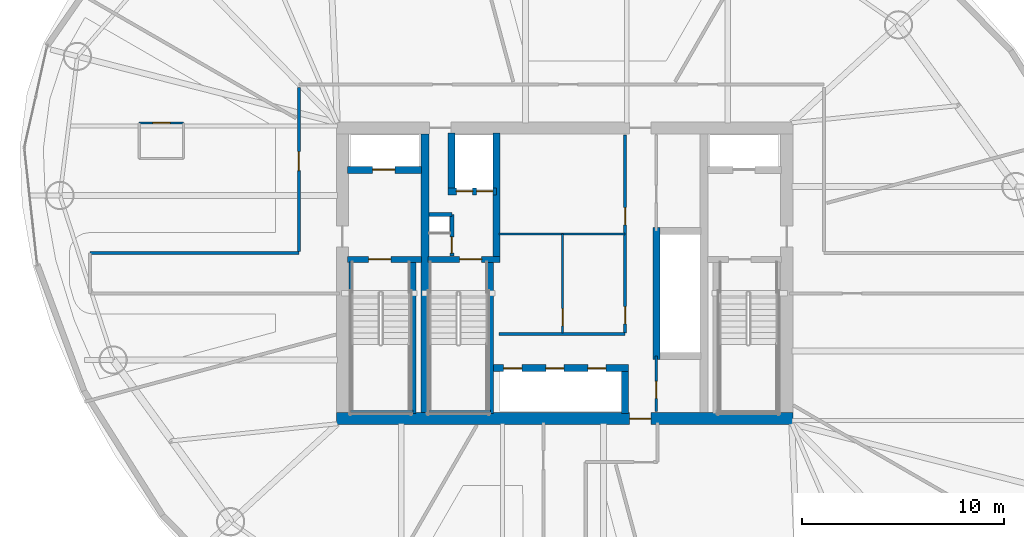
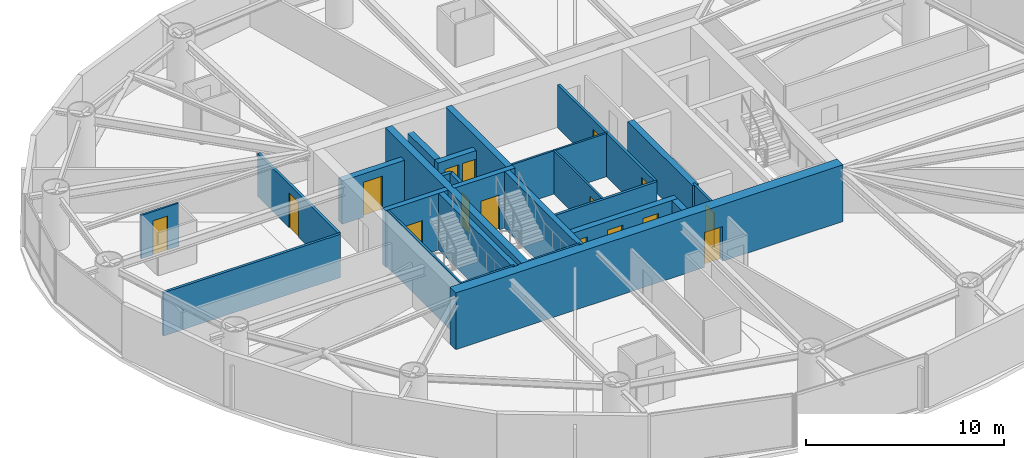
# One storey, part 17 of 22: 26 walls, 16 doors, 16 openings.
"""IFC4 building model written with IfcOpenShell, lengths in metres."""

from ifc_helpers import new_model, si_unit, direction, frame, frame_2d, origin, place, context, subcontext, project, spatial, rectangle, extrude, material, layer, layer_set, type_object, element, fill, save


model = new_model("IFC4")

# Units and contexts
model_context = context("Model", 3, precision=1e-05, world=origin(), true_north=direction((0.0, 1.0)))
body_context = subcontext(model_context, "Body", "Model", "MODEL_VIEW")
ifc_project = project(units=[si_unit("LENGTHUNIT", "METRE"), si_unit("AREAUNIT", "SQUARE_METRE"), si_unit("VOLUMEUNIT", "CUBIC_METRE"), si_unit("PLANEANGLEUNIT", "RADIAN"), si_unit("MASSUNIT", "GRAM", prefix="KILO")], contexts=[model_context])

# Site, building, storey
site_placement = place(None, origin())
site = spatial("IfcSite", under=ifc_project, at=site_placement, CompositionType="ELEMENT")
building_placement = place(site_placement, origin())
building = spatial("IfcBuilding", under=site, at=building_placement, Name="Bramvorn Convention Spire", CompositionType="ELEMENT")
storey_placement = place(building_placement, frame((0.0, 0.0, 127.300048828125)))
storey = spatial("IfcBuildingStorey", under=building, at=storey_placement, Name="L31", CompositionType="ELEMENT", Elevation=127.300048828125)

# Wall, opening, door
ifc_material_1 = material(Name="Concrete C60/70", Category="concrete")
ifc_layer_1 = layer(ifc_material_1, 0.60009765625)
ifc_layer_set_1 = layer_set([ifc_layer_1], Name="Concrete C60/70 - WL-CORE-600")
wall_type_1 = type_object("IfcWallType", Name="WL-CORE-600", PredefinedType="SHEAR", material=ifc_layer_set_1)
wall_1_placement = place(storey_placement, frame((26.699951171875, 18.800048828125, 0.0), z_axis=(0.0, 0.0, 1.0), x_axis=(1.0, 0.0, 0.0)))
wall_1 = element("IfcWall", 1, at=wall_1_placement, inside=storey, type_object=wall_type_1, Name="L31 South RC core shear wall", PredefinedType="SHEAR", context=body_context, shape_type="SweptSolid", body=[
    extrude(rectangle(XDim=22.60009765625, YDim=0.60009765625, at=frame_2d((11.300048828125, 0.0))), origin(), (0.0, 0.0, 1.0), 3.5),
])
opening_1_placement = place(wall_1_placement, frame((14.52001953125, 0.0, 0.0)))
opening_1 = element("IfcOpeningElement", 2, at=opening_1_placement, cuts=wall_1, Name="Opening DL-105", PredefinedType="OPENING", context=body_context, shape_type="SweptSolid", body=[
    extrude(rectangle(XDim=1.050048828125, YDim=2.14990234375, at=frame_2d((0.52490234375, 1.074951171875))), frame((0.0, 0.31005859375, 0.0), z_axis=(0.0, -1.0, 0.0), x_axis=(1.0, 0.0, 0.0)), (0.0, 0.0, 1.0), 0.6201171875),
])
ifc_material_2 = material(Name="Smoke-Sealed Fire Lobby Timber-Core Door", Category="wood")
door_type_1 = type_object("IfcDoorType", Name="DR-LOBBY-1050", OperationType="NOTDEFINED", PredefinedType="DOOR", material=ifc_material_2)
door_1_placement = place(opening_1_placement, origin())
door_1 = element("IfcDoor", 3, at=door_1_placement, inside=storey, type_object=door_type_1, Name="L31 South Lift Lobby fire door", OperationType="SINGLE_SWING_RIGHT", OverallHeight=2.14990234375, OverallWidth=1.050048828125, PredefinedType="DOOR", context=body_context, shape_type="SweptSolid", body=[
    extrude(rectangle(XDim=1.050048828125, YDim=2.14990234375, at=frame_2d((0.52490234375, 1.074951171875))), frame((0.0, 0.02490234375, 0.0), z_axis=(0.0, -1.0, 0.0), x_axis=(1.0, 0.0, 0.0)), (0.0, 0.0, 1.0), 0.050048828125),
])
fill(opening_1, door_1)

ifc_material_3 = material(Name="Concrete C50/60", Category="concrete")
ifc_layer_2 = layer(ifc_material_3, 0.35009765625)
ifc_layer_set_2 = layer_set([ifc_layer_2], Name="Concrete C50/60 - WL-CORE-INT-350")
wall_type_2 = type_object("IfcWallType", Name="WL-CORE-INT-350", PredefinedType="SHEAR", material=ifc_layer_set_2)
wall_2_placement = place(storey_placement, frame((27.25, 31.1201171875, 0.0), z_axis=(0.0, 0.0, 1.0), x_axis=(1.0, 0.0, 0.0)))
wall_2 = element("IfcWall", 4, at=wall_2_placement, inside=storey, type_object=wall_type_2, Name="L31 FE1 shaft front wall", PredefinedType="SHEAR", context=body_context, shape_type="SweptSolid", body=[
    extrude(rectangle(XDim=3.669921875, YDim=0.35009765625, at=frame_2d((1.8349609375, 0.0))), origin(), (0.0, 0.0, 1.0), 2.675048828125),
])
opening_2_placement = place(wall_2_placement, frame((1.25, 0.0, 0.0)))
opening_2 = element("IfcOpeningElement", 5, at=opening_2_placement, cuts=wall_2, Name="Opening LD-110", PredefinedType="OPENING", context=body_context, shape_type="SweptSolid", body=[
    extrude(rectangle(XDim=1.10009765625, YDim=2.14990234375, at=frame_2d((0.550048828125, 1.074951171875))), frame((0.0, 0.18505859375, 0.0), z_axis=(0.0, -1.0, 0.0), x_axis=(1.0, 0.0, 0.0)), (0.0, 0.0, 1.0), 0.3701171875),
])
ifc_material_4 = material(Name="Firefighting & Service Lift Sliding Landing Door", Category="steel")
door_type_2 = type_object("IfcDoorType", Name="DR-LIFT-LD-1100", OperationType="NOTDEFINED", PredefinedType="DOOR", material=ifc_material_4)
door_2_placement = place(opening_2_placement, origin())
door_2 = element("IfcDoor", 6, at=door_2_placement, inside=storey, type_object=door_type_2, Name="L31 Lift FE1 Sliding Landing Door", OperationType="SLIDING_TO_LEFT", OverallHeight=2.14990234375, OverallWidth=1.10009765625, PredefinedType="DOOR", context=body_context, shape_type="SweptSolid", body=[
    extrude(rectangle(XDim=1.10009765625, YDim=2.14990234375, at=frame_2d((0.550048828125, 1.074951171875))), frame((0.0, 0.02490234375, 0.0), z_axis=(0.0, -1.0, 0.0), x_axis=(1.0, 0.0, 0.0)), (0.0, 0.0, 1.0), 0.050048828125),
])
fill(opening_2, door_2)

# Wall
wall_3_placement = place(storey_placement, frame((34.639892578125, 26.68994140625, 0.0), z_axis=(0.0, 0.0, 1.0), x_axis=(0.0, 1.0, 0.0)))
element("IfcWall", 7, at=wall_3_placement, inside=storey, type_object=wall_type_2, Name="L31 SV east core shaft wall", PredefinedType="SHEAR", context=body_context, shape_type="SweptSolid", body=[
    extrude(rectangle(XDim=6.260009765625, YDim=0.35009765625, at=frame_2d((3.1298828125, 0.0))), origin(), (0.0, 0.0, 1.0), 3.5),
])

# Wall, openings, doors
wall_4_placement = place(storey_placement, frame((32.22998046875, 30.050048828125, 0.0), z_axis=(0.0, 0.0, 1.0), x_axis=(1.0, 0.0, 0.0)))
wall_4 = element("IfcWall", 8, at=wall_4_placement, inside=storey, type_object=wall_type_2, Name="L31 SV1/SV2 shaft front wall", PredefinedType="SHEAR", context=body_context, shape_type="SweptSolid", body=[
    extrude(rectangle(XDim=2.409912109375, YDim=0.35009765625, at=frame_2d((1.205078125, 0.0))), origin(), (0.0, 0.0, 1.0), 2.675048828125),
])
opening_3_placement = place(wall_4_placement, frame((0.419921875, 0.0, 0.0)))
opening_3 = element("IfcOpeningElement", 9, at=opening_3_placement, cuts=wall_4, Name="Opening LD-080", PredefinedType="OPENING", context=body_context, shape_type="SweptSolid", body=[
    extrude(rectangle(XDim=0.800048828125, YDim=2.14990234375, at=frame_2d((0.39990234375, 1.074951171875))), frame((0.0, 0.18505859375, 0.0), z_axis=(0.0, -1.0, 0.0), x_axis=(1.0, 0.0, 0.0)), (0.0, 0.0, 1.0), 0.3701171875),
])
opening_4_placement = place(wall_4_placement, frame((1.419921875, 0.0, 0.0)))
opening_4 = element("IfcOpeningElement", 10, at=opening_4_placement, cuts=wall_4, Name="Opening LD-080", PredefinedType="OPENING", context=body_context, shape_type="SweptSolid", body=[
    extrude(rectangle(XDim=0.800048828125, YDim=2.14990234375, at=frame_2d((0.39990234375, 1.074951171875))), frame((0.0, 0.18505859375, 0.0), z_axis=(0.0, -1.0, 0.0), x_axis=(1.0, 0.0, 0.0)), (0.0, 0.0, 1.0), 0.3701171875),
])
ifc_material_5 = material(Name="Service Lift Bi-Parting Landing Door", Category="steel")
door_type_3 = type_object("IfcDoorType", Name="DR-LIFT-LD-800", OperationType="NOTDEFINED", PredefinedType="DOOR", material=ifc_material_5)
door_3_placement = place(opening_3_placement, origin())
door_3 = element("IfcDoor", 11, at=door_3_placement, inside=storey, type_object=door_type_3, Name="L31 Lift SV1 Sliding Landing Door", OperationType="SLIDING_TO_LEFT", OverallHeight=2.14990234375, OverallWidth=0.800048828125, PredefinedType="DOOR", context=body_context, shape_type="SweptSolid", body=[
    extrude(rectangle(XDim=0.800048828125, YDim=2.14990234375, at=frame_2d((0.39990234375, 1.074951171875))), frame((0.0, 0.02490234375, 0.0), z_axis=(0.0, -1.0, 0.0), x_axis=(1.0, 0.0, 0.0)), (0.0, 0.0, 1.0), 0.050048828125),
])
fill(opening_3, door_3)
door_4_placement = place(opening_4_placement, origin())
door_4 = element("IfcDoor", 12, at=door_4_placement, inside=storey, type_object=door_type_3, Name="L31 Lift SV2 Sliding Landing Door", OperationType="SLIDING_TO_LEFT", OverallHeight=2.14990234375, OverallWidth=0.800048828125, PredefinedType="DOOR", context=body_context, shape_type="SweptSolid", body=[
    extrude(rectangle(XDim=0.800048828125, YDim=2.14990234375, at=frame_2d((0.39990234375, 1.074951171875))), frame((0.0, 0.02490234375, 0.0), z_axis=(0.0, -1.0, 0.0), x_axis=(1.0, 0.0, 0.0)), (0.0, 0.0, 1.0), 0.050048828125),
])
fill(opening_4, door_4)

# Walls
wall_5_placement = place(storey_placement, frame((32.39990234375, 30.219970703125, 0.0), z_axis=(0.0, 0.0, 1.0), x_axis=(0.0, 1.0, 0.0)))
element("IfcWall", 13, at=wall_5_placement, inside=storey, type_object=wall_type_2, Name="L31 SV1 west hoistway wall", PredefinedType="SHEAR", context=body_context, shape_type="SweptSolid", body=[
    extrude(rectangle(XDim=2.72998046875, YDim=0.35009765625, at=frame_2d((1.364990234375, 0.0))), origin(), (0.0, 0.0, 1.0), 2.675048828125),
])
wall_6_placement = place(storey_placement, frame((42.550048828125, 21.72998046875, 0.0), z_axis=(0.0, 0.0, 1.0), x_axis=(0.0, 1.0, 0.0)))
element("IfcWall", 14, at=wall_6_placement, inside=storey, type_object=wall_type_2, Name="L31 High-rise lift bank west wall", PredefinedType="SHEAR", context=body_context, shape_type="SweptSolid", body=[
    extrude(rectangle(XDim=6.5400390625, YDim=0.35009765625, at=frame_2d((3.27001953125, 0.0))), origin(), (0.0, 0.0, 1.0), 2.675048828125),
])

# Wall, openings, doors
wall_7_placement = place(storey_placement, frame((34.489990234375, 21.300048828125, 0.0), z_axis=(0.0, 0.0, 1.0), x_axis=(1.0, 0.0, 0.0)))
wall_7 = element("IfcWall", 15, at=wall_7_placement, inside=storey, type_object=wall_type_2, Name="L31 Mid-rise bank north landing wall", PredefinedType="SHEAR", context=body_context, shape_type="SweptSolid", body=[
    extrude(rectangle(XDim=6.679931640625, YDim=0.35009765625, at=frame_2d((3.33984375, 0.0))), origin(), (0.0, 0.0, 1.0), 2.675048828125),
])
opening_5_placement = place(wall_7_placement, frame((0.5, 0.0, 0.0)))
opening_5 = element("IfcOpeningElement", 16, at=opening_5_placement, cuts=wall_7, Name="Opening LD-090", PredefinedType="OPENING", context=body_context, shape_type="SweptSolid", body=[
    extrude(rectangle(XDim=0.89990234375, YDim=2.14990234375, at=frame_2d((0.449951171875, 1.074951171875))), frame((0.0, 0.18505859375, 0.0), z_axis=(0.0, -1.0, 0.0), x_axis=(1.0, 0.0, 0.0)), (0.0, 0.0, 1.0), 0.3701171875),
])
opening_6_placement = place(wall_7_placement, frame((2.580078125, 0.0, 0.0)))
opening_6 = element("IfcOpeningElement", 17, at=opening_6_placement, cuts=wall_7, Name="Opening LD-090", PredefinedType="OPENING", context=body_context, shape_type="SweptSolid", body=[
    extrude(rectangle(XDim=0.89990234375, YDim=2.14990234375, at=frame_2d((0.449951171875, 1.074951171875))), frame((0.0, 0.18505859375, 0.0), z_axis=(0.0, -1.0, 0.0), x_axis=(1.0, 0.0, 0.0)), (0.0, 0.0, 1.0), 0.3701171875),
])
opening_7_placement = place(wall_7_placement, frame((4.659912109375, 0.0, 0.0)))
opening_7 = element("IfcOpeningElement", 18, at=opening_7_placement, cuts=wall_7, Name="Opening LD-090", PredefinedType="OPENING", context=body_context, shape_type="SweptSolid", body=[
    extrude(rectangle(XDim=0.89990234375, YDim=2.14990234375, at=frame_2d((0.449951171875, 1.074951171875))), frame((0.0, 0.18505859375, 0.0), z_axis=(0.0, -1.0, 0.0), x_axis=(1.0, 0.0, 0.0)), (0.0, 0.0, 1.0), 0.3701171875),
])
ifc_material_6 = material(Name="Bi-Parting Fire-Rated Lift Landing Door", Category="steel")
door_type_4 = type_object("IfcDoorType", Name="DR-LIFT-LD-900", OperationType="NOTDEFINED", PredefinedType="DOOR", material=ifc_material_6)
door_5_placement = place(opening_5_placement, origin())
door_5 = element("IfcDoor", 19, at=door_5_placement, inside=storey, type_object=door_type_4, Name="L31 Lift PM1 Sliding Landing Door", OperationType="SLIDING_TO_LEFT", OverallHeight=2.14990234375, OverallWidth=0.89990234375, PredefinedType="DOOR", context=body_context, shape_type="SweptSolid", body=[
    extrude(rectangle(XDim=0.89990234375, YDim=2.14990234375, at=frame_2d((0.449951171875, 1.074951171875))), frame((0.0, 0.02490234375, 0.0), z_axis=(0.0, -1.0, 0.0), x_axis=(1.0, 0.0, 0.0)), (0.0, 0.0, 1.0), 0.050048828125),
])
fill(opening_5, door_5)
door_6_placement = place(opening_6_placement, origin())
door_6 = element("IfcDoor", 20, at=door_6_placement, inside=storey, type_object=door_type_4, Name="L31 Lift PM2 Sliding Landing Door", OperationType="SLIDING_TO_LEFT", OverallHeight=2.14990234375, OverallWidth=0.89990234375, PredefinedType="DOOR", context=body_context, shape_type="SweptSolid", body=[
    extrude(rectangle(XDim=0.89990234375, YDim=2.14990234375, at=frame_2d((0.449951171875, 1.074951171875))), frame((0.0, 0.02490234375, 0.0), z_axis=(0.0, -1.0, 0.0), x_axis=(1.0, 0.0, 0.0)), (0.0, 0.0, 1.0), 0.050048828125),
])
fill(opening_6, door_6)
door_7_placement = place(opening_7_placement, origin())
door_7 = element("IfcDoor", 21, at=door_7_placement, inside=storey, type_object=door_type_4, Name="L31 Lift PM3 Sliding Landing Door", OperationType="SLIDING_TO_LEFT", OverallHeight=2.14990234375, OverallWidth=0.89990234375, PredefinedType="DOOR", context=body_context, shape_type="SweptSolid", body=[
    extrude(rectangle(XDim=0.89990234375, YDim=2.14990234375, at=frame_2d((0.449951171875, 1.074951171875))), frame((0.0, 0.02490234375, 0.0), z_axis=(0.0, -1.0, 0.0), x_axis=(1.0, 0.0, 0.0)), (0.0, 0.0, 1.0), 0.050048828125),
])
fill(opening_7, door_7)

# Walls
wall_8_placement = place(storey_placement, frame((41.0, 19.050048828125, 0.0), z_axis=(0.0, 0.0, 1.0), x_axis=(0.0, 1.0, 0.0)))
element("IfcWall", 22, at=wall_8_placement, inside=storey, type_object=wall_type_2, Name="L31 Mid-rise bank east cheek wall", PredefinedType="SHEAR", context=body_context, shape_type="SweptSolid", body=[
    extrude(rectangle(XDim=2.079833984375, YDim=0.35009765625, at=frame_2d((1.0400390625, 0.0))), origin(), (0.0, 0.0, 1.0), 2.675048828125),
])
ifc_layer_3 = layer(ifc_material_1, 0.39990234375)
ifc_layer_set_3 = layer_set([ifc_layer_3], Name="Concrete C60/70 - WL-CORE-INT-400")
wall_type_3 = type_object("IfcWallType", Name="WL-CORE-INT-400", PredefinedType="SHEAR", material=ifc_layer_set_3)
wall_9_placement = place(storey_placement, frame((31.10009765625, 19.10009765625, 0.0), z_axis=(0.0, 0.0, 1.0), x_axis=(0.0, 1.0, 0.0)))
element("IfcWall", 23, at=wall_9_placement, inside=storey, type_object=wall_type_3, Name="L31 West internal core shear web", PredefinedType="SHEAR", context=body_context, shape_type="SweptSolid", body=[
    extrude(rectangle(XDim=13.7998046875, YDim=0.39990234375, at=frame_2d((6.89990234375, 0.0))), origin(), (0.0, 0.0, 1.0), 3.5),
])
ifc_material_7 = material(Name="Lightweight En-Suite & Wet-Wall Partition", Category="gypsum")
ifc_layer_4 = layer(ifc_material_7, 0.110107421875)
ifc_layer_set_4 = layer_set([ifc_layer_4], Name="Lightweight En-Suite & Wet-Wall Partition - WL-PART-110")
wall_type_4 = type_object("IfcWallType", Name="WL-PART-110", PredefinedType="PARTITIONING", material=ifc_layer_set_4)
wall_10_placement = place(storey_placement, frame((34.75, 27.949951171875, 0.0), z_axis=(0.0, 0.0, 1.0), x_axis=(1.0, 0.0, 0.0)))
element("IfcWall", 24, at=wall_10_placement, inside=storey, type_object=wall_type_4, Name="L31 KA horizontal core divider", PredefinedType="PARTITIONING", context=body_context, shape_type="SweptSolid", body=[
    extrude(rectangle(XDim=6.25, YDim=0.110107421875, at=frame_2d((3.125, 0.0))), origin(), (0.0, 0.0, 1.0), 2.675048828125),
])

# Wall, opening, door
wall_11_placement = place(storey_placement, frame((37.89990234375, 23.050048828125, 0.0), z_axis=(0.0, 0.0, 1.0), x_axis=(0.0, 1.0, 0.0)))
wall_11 = element("IfcWall", 25, at=wall_11_placement, inside=storey, type_object=wall_type_4, Name="L31 KA restroom subwall", PredefinedType="PARTITIONING", context=body_context, shape_type="SweptSolid", body=[
    extrude(rectangle(XDim=4.89990234375, YDim=0.110107421875, at=frame_2d((2.449951171875, 0.0))), origin(), (0.0, 0.0, 1.0), 2.675048828125),
])
opening_8_placement = place(wall_11_placement, frame((0.35009765625, 0.0, 0.0)))
opening_8 = element("IfcOpeningElement", 26, at=opening_8_placement, cuts=wall_11, Name="Opening DC-085", PredefinedType="OPENING", context=body_context, shape_type="SweptSolid", body=[
    extrude(rectangle(XDim=0.85009765625, YDim=2.10009765625, at=frame_2d((0.425048828125, 1.050048828125))), frame((0.0, 0.06494140625, 0.0), z_axis=(0.0, -1.0, 0.0), x_axis=(1.0, 0.0, 0.0)), (0.0, 0.0, 1.0), 0.130126953125),
])
ifc_material_8 = material(Name="Fire-Rated Core Washroom & IDF Door", Category="wood")
door_type_5 = type_object("IfcDoorType", Name="DR-CORE-850", OperationType="NOTDEFINED", PredefinedType="DOOR", material=ifc_material_8)
door_8_placement = place(opening_8_placement, origin())
door_8 = element("IfcDoor", 27, at=door_8_placement, inside=storey, type_object=door_type_5, Name="L31 Core IT Closet door", OperationType="SINGLE_SWING_LEFT", OverallHeight=2.10009765625, OverallWidth=0.85009765625, PredefinedType="DOOR", context=body_context, shape_type="SweptSolid", body=[
    extrude(rectangle(XDim=0.85009765625, YDim=2.10009765625, at=frame_2d((0.425048828125, 1.050048828125))), frame((0.0, 0.02490234375, 0.0), z_axis=(0.0, -1.0, 0.0), x_axis=(1.0, 0.0, 0.0)), (0.0, 0.0, 1.0), 0.050048828125),
])
fill(opening_8, door_8)

wall_12_placement = place(storey_placement, frame((16.939697265625, 33.443359375, 0.0), z_axis=(0.0, 0.0, 1.0), x_axis=(1.0, 0.0, 0.0)))
wall_12 = element("IfcWall", 28, at=wall_12_placement, inside=storey, type_object=wall_type_4, Name="Hotel Suite 3104 en-suite north wall", PredefinedType="PARTITIONING", context=body_context, shape_type="SweptSolid", body=[
    extrude(rectangle(XDim=2.199951171875, YDim=0.110107421875, at=frame_2d((1.10009765625, 0.0))), origin(), (0.0, 0.0, 1.0), 2.675048828125),
])
opening_9_placement = place(wall_12_placement, frame((0.679931640625, 0.0, 0.0)))
opening_9 = element("IfcOpeningElement", 29, at=opening_9_placement, cuts=wall_12, Name="Opening DI-085", PredefinedType="OPENING", context=body_context, shape_type="SweptSolid", body=[
    extrude(rectangle(XDim=0.85009765625, YDim=2.10009765625, at=frame_2d((0.425048828125, 1.050048828125))), frame((0.0, 0.06494140625, 0.0), z_axis=(0.0, -1.0, 0.0), x_axis=(1.0, 0.0, 0.0)), (0.0, 0.0, 1.0), 0.130126953125),
])
ifc_material_9 = material(Name="En-Suite & Restroom Privacy Door", Category="wood")
door_type_6 = type_object("IfcDoorType", Name="DR-INT-850", OperationType="NOTDEFINED", PredefinedType="DOOR", material=ifc_material_9)
door_9_placement = place(opening_9_placement, origin())
door_9 = element("IfcDoor", 30, at=door_9_placement, inside=storey, type_object=door_type_6, Name="Hotel Suite 3104 En-Suite Bathroom door", OperationType="SINGLE_SWING_LEFT", OverallHeight=2.10009765625, OverallWidth=0.85009765625, PredefinedType="DOOR", context=body_context, shape_type="SweptSolid", body=[
    extrude(rectangle(XDim=0.85009765625, YDim=2.10009765625, at=frame_2d((0.425048828125, 1.050048828125))), frame((0.0, 0.02490234375, 0.0), z_axis=(0.0, -1.0, 0.0), x_axis=(1.0, 0.0, 0.0)), (0.0, 0.0, 1.0), 0.050048828125),
])
fill(opening_9, door_9)

ifc_material_10 = material(Name="Metal-Stud Demountable Office Partition", Category="gypsum")
ifc_layer_5 = layer(ifc_material_10, 0.1298828125)
ifc_layer_set_5 = layer_set([ifc_layer_5], Name="Metal-Stud Demountable Office Partition - WL-PART-130")
wall_type_5 = type_object("IfcWallType", Name="WL-PART-130", PredefinedType="PARTITIONING", material=ifc_layer_set_5)
wall_13_placement = place(storey_placement, frame((42.550048828125, 19.14990234375, 0.0), z_axis=(0.0, 0.0, 1.0), x_axis=(0.0, 1.0, 0.0)))
wall_13 = element("IfcWall", 31, at=wall_13_placement, inside=storey, type_object=wall_type_5, Name="L31 KA SE store wall", PredefinedType="PARTITIONING", context=body_context, shape_type="SweptSolid", body=[
    extrude(rectangle(XDim=2.75, YDim=0.1298828125, at=frame_2d((1.375, 0.0))), origin(), (0.0, 0.0, 1.0), 2.675048828125),
])
opening_10_placement = place(wall_13_placement, frame((0.64990234375, 0.0, 0.0)))
opening_10 = element("IfcOpeningElement", 32, at=opening_10_placement, cuts=wall_13, Name="Opening DC-085", PredefinedType="OPENING", context=body_context, shape_type="SweptSolid", body=[
    extrude(rectangle(XDim=0.85009765625, YDim=2.10009765625, at=frame_2d((0.425048828125, 1.050048828125))), frame((0.0, 0.074951171875, 0.0), z_axis=(0.0, -1.0, 0.0), x_axis=(1.0, 0.0, 0.0)), (0.0, 0.0, 1.0), 0.14990234375),
])
door_10_placement = place(opening_10_placement, origin())
door_10 = element("IfcDoor", 33, at=door_10_placement, inside=storey, type_object=door_type_5, Name="L31 Floor Housekeeping & Linen Store door", OperationType="SINGLE_SWING_LEFT", OverallHeight=2.10009765625, OverallWidth=0.85009765625, PredefinedType="DOOR", context=body_context, shape_type="SweptSolid", body=[
    extrude(rectangle(XDim=0.85009765625, YDim=2.10009765625, at=frame_2d((0.425048828125, 1.050048828125))), frame((0.0, 0.02490234375, 0.0), z_axis=(0.0, -1.0, 0.0), x_axis=(1.0, 0.0, 0.0)), (0.0, 0.0, 1.0), 0.050048828125),
])
fill(opening_10, door_10)

# Wall
ifc_material_11 = material(Name="Acoustic Metal-Stud Tenant/Corridor Partition", Category="gypsum")
ifc_layer_6 = layer(ifc_material_11, 0.14990234375)
ifc_layer_set_6 = layer_set([ifc_layer_6], Name="Acoustic Metal-Stud Tenant/Corridor Partition - WL-PART-150")
wall_type_6 = type_object("IfcWallType", Name="WL-PART-150", PredefinedType="PARTITIONING", material=ifc_layer_set_6)
wall_14_placement = place(storey_placement, frame((34.75, 23.0, 0.0), z_axis=(0.0, 0.0, 1.0), x_axis=(1.0, 0.0, 0.0)))
element("IfcWall", 34, at=wall_14_placement, inside=storey, type_object=wall_type_6, Name="L31 Mid-rise lift vestibule north wall", PredefinedType="PARTITIONING", context=body_context, shape_type="SweptSolid", body=[
    extrude(rectangle(XDim=6.25, YDim=0.14990234375, at=frame_2d((3.125, 0.0))), origin(), (0.0, 0.0, 1.0), 2.675048828125),
])

# Wall, openings, doors
wall_15_placement = place(storey_placement, frame((41.0, 23.050048828125, 0.0), z_axis=(0.0, 0.0, 1.0), x_axis=(0.0, 1.0, 0.0)))
wall_15 = element("IfcWall", 35, at=wall_15_placement, inside=storey, type_object=wall_type_6, Name="L31 KA east core wall", PredefinedType="PARTITIONING", context=body_context, shape_type="SweptSolid", body=[
    extrude(rectangle(XDim=9.800048828125, YDim=0.14990234375, at=frame_2d((4.89990234375, 0.0))), origin(), (0.0, 0.0, 1.0), 2.675048828125),
])
opening_11_placement = place(wall_15_placement, frame((5.35009765625, 0.0, 0.0)))
opening_11 = element("IfcOpeningElement", 36, at=opening_11_placement, cuts=wall_15, Name="Opening DC-085", PredefinedType="OPENING", context=body_context, shape_type="SweptSolid", body=[
    extrude(rectangle(XDim=0.85009765625, YDim=2.10009765625, at=frame_2d((0.425048828125, 1.050048828125))), frame((0.0, 0.0849609375, 0.0), z_axis=(0.0, -1.0, 0.0), x_axis=(1.0, 0.0, 0.0)), (0.0, 0.0, 1.0), 0.169921875),
])
opening_12_placement = place(wall_15_placement, frame((0.449951171875, 0.0, 0.0)))
opening_12 = element("IfcOpeningElement", 37, at=opening_12_placement, cuts=wall_15, Name="Opening DC-085", PredefinedType="OPENING", context=body_context, shape_type="SweptSolid", body=[
    extrude(rectangle(XDim=0.85009765625, YDim=2.10009765625, at=frame_2d((0.425048828125, 1.050048828125))), frame((0.0, 0.0849609375, 0.0), z_axis=(0.0, -1.0, 0.0), x_axis=(1.0, 0.0, 0.0)), (0.0, 0.0, 1.0), 0.169921875),
])
door_11_placement = place(opening_11_placement, origin())
door_11 = element("IfcDoor", 38, at=door_11_placement, inside=storey, type_object=door_type_5, Name="L31 Core Linen & Equipment Store door", OperationType="SINGLE_SWING_LEFT", OverallHeight=2.10009765625, OverallWidth=0.85009765625, PredefinedType="DOOR", context=body_context, shape_type="SweptSolid", body=[
    extrude(rectangle(XDim=0.85009765625, YDim=2.10009765625, at=frame_2d((0.425048828125, 1.050048828125))), frame((0.0, 0.02490234375, 0.0), z_axis=(0.0, -1.0, 0.0), x_axis=(1.0, 0.0, 0.0)), (0.0, 0.0, 1.0), 0.050048828125),
])
fill(opening_11, door_11)
door_12_placement = place(opening_12_placement, origin())
door_12 = element("IfcDoor", 39, at=door_12_placement, inside=storey, type_object=door_type_5, Name="L31 Accessible Core Restroom door", OperationType="SINGLE_SWING_LEFT", OverallHeight=2.10009765625, OverallWidth=0.85009765625, PredefinedType="DOOR", context=body_context, shape_type="SweptSolid", body=[
    extrude(rectangle(XDim=0.85009765625, YDim=2.10009765625, at=frame_2d((0.425048828125, 1.050048828125))), frame((0.0, 0.02490234375, 0.0), z_axis=(0.0, -1.0, 0.0), x_axis=(1.0, 0.0, 0.0)), (0.0, 0.0, 1.0), 0.050048828125),
])
fill(opening_12, door_12)

# Wall, opening, door
wall_16_placement = place(storey_placement, frame((24.85009765625, 27.080078125, 0.0), z_axis=(0.0, 0.0, 1.0), x_axis=(0.0, 1.0, 0.0)))
wall_16 = element("IfcWall", 40, at=wall_16_placement, inside=storey, type_object=wall_type_6, Name="L31 NW gallery cheek", PredefinedType="PARTITIONING", context=body_context, shape_type="SweptSolid", body=[
    extrude(rectangle(XDim=8.119873046875, YDim=0.14990234375, at=frame_2d((4.06005859375, 0.0))), origin(), (0.0, 0.0, 1.0), 2.675048828125),
])
opening_13_placement = place(wall_16_placement, frame((3.998046875, 0.0, 0.0)))
opening_13 = element("IfcOpeningElement", 41, at=opening_13_placement, cuts=wall_16, Name="Opening DH-095", PredefinedType="OPENING", context=body_context, shape_type="SweptSolid", body=[
    extrude(rectangle(XDim=0.949951171875, YDim=2.14990234375, at=frame_2d((0.47509765625, 1.074951171875))), frame((0.0, 0.0849609375, 0.0), z_axis=(0.0, -1.0, 0.0), x_axis=(1.0, 0.0, 0.0)), (0.0, 0.0, 1.0), 0.169921875),
])
ifc_material_12 = material(Name="Solid-Core Acoustic Guestroom Entry Door", Category="wood")
door_type_7 = type_object("IfcDoorType", Name="DR-HOTEL-950", OperationType="NOTDEFINED", PredefinedType="DOOR", material=ifc_material_12)
door_13_placement = place(opening_13_placement, origin())
door_13 = element("IfcDoor", 42, at=door_13_placement, inside=storey, type_object=door_type_7, Name="Hotel Suite 3104 entry door", OperationType="SINGLE_SWING_LEFT", OverallHeight=2.14990234375, OverallWidth=0.949951171875, PredefinedType="DOOR", context=body_context, shape_type="SweptSolid", body=[
    extrude(rectangle(XDim=0.949951171875, YDim=2.14990234375, at=frame_2d((0.47509765625, 1.074951171875))), frame((0.0, 0.02490234375, 0.0), z_axis=(0.0, -1.0, 0.0), x_axis=(1.0, 0.0, 0.0)), (0.0, 0.0, 1.0), 0.050048828125),
])
fill(opening_13, door_13)

# Wall
wall_17_placement = place(storey_placement, frame((14.5, 27.0, 0.0), z_axis=(0.0, 0.0, 1.0), x_axis=(1.0, 0.0, 0.0)))
element("IfcWall", 43, at=wall_17_placement, inside=storey, type_object=wall_type_6, Name="L31 West wing spine north wall", PredefinedType="PARTITIONING", context=body_context, shape_type="SweptSolid", body=[
    extrude(rectangle(XDim=10.35009765625, YDim=0.14990234375, at=frame_2d((5.175048828125, 0.0))), origin(), (0.0, 0.0, 1.0), 2.675048828125),
])

# Wall, opening, door
ifc_material_13 = material(Name="Gypsum Shaftwall & Rockwool Core Partition", Category="gypsum")
ifc_layer_7 = layer(ifc_material_13, 0.199951171875)
ifc_layer_set_7 = layer_set([ifc_layer_7], Name="Gypsum Shaftwall & Rockwool Core Partition - WL-PART-200-FR")
wall_type_7 = type_object("IfcWallType", Name="WL-PART-200-FR", PredefinedType="PARTITIONING", material=ifc_layer_set_7)
wall_18_placement = place(storey_placement, frame((32.419921875, 26.860107421875, 0.0), z_axis=(0.0, 0.0, 1.0), x_axis=(0.0, 1.0, 0.0)))
wall_18 = element("IfcWall", 44, at=wall_18_placement, inside=storey, type_object=wall_type_7, Name="L31 Telecom riser east wall", PredefinedType="PARTITIONING", context=body_context, shape_type="SweptSolid", body=[
    extrude(rectangle(XDim=2.039794921875, YDim=0.199951171875, at=frame_2d((1.02001953125, 0.0))), origin(), (0.0, 0.0, 1.0), 2.675048828125),
])
opening_14_placement = place(wall_18_placement, frame((0.139892578125, 0.0, 0.0)))
opening_14 = element("IfcOpeningElement", 45, at=opening_14_placement, cuts=wall_18, Name="Opening DR-080", PredefinedType="OPENING", context=body_context, shape_type="SweptSolid", body=[
    extrude(rectangle(XDim=0.800048828125, YDim=2.050048828125, at=frame_2d((0.39990234375, 1.02490234375))), frame((0.0, 0.10986328125, 0.0), z_axis=(0.0, -1.0, 0.0), x_axis=(1.0, 0.0, 0.0)), (0.0, 0.0, 1.0), 0.219970703125),
])
ifc_material_14 = material(Name="Flush Steel Riser Access Door", Category="steel")
door_type_8 = type_object("IfcDoorType", Name="DR-RISER-800", OperationType="NOTDEFINED", PredefinedType="DOOR", material=ifc_material_14)
door_14_placement = place(opening_14_placement, origin())
door_14 = element("IfcDoor", 46, at=door_14_placement, inside=storey, type_object=door_type_8, Name="L31 Telecom riser access door", OperationType="SINGLE_SWING_RIGHT", OverallHeight=2.050048828125, OverallWidth=0.800048828125, PredefinedType="DOOR", context=body_context, shape_type="SweptSolid", body=[
    extrude(rectangle(XDim=0.800048828125, YDim=2.050048828125, at=frame_2d((0.39990234375, 1.02490234375))), frame((0.0, 0.02490234375, 0.0), z_axis=(0.0, -1.0, 0.0), x_axis=(1.0, 0.0, 0.0)), (0.0, 0.0, 1.0), 0.050048828125),
])
fill(opening_14, door_14)

# Wall
wall_19_placement = place(storey_placement, frame((31.300048828125, 28.89990234375, 0.0), z_axis=(0.0, 0.0, 1.0), x_axis=(1.0, 0.0, 0.0)))
element("IfcWall", 47, at=wall_19_placement, inside=storey, type_object=wall_type_7, Name="L31 Telecom riser north wall", PredefinedType="PARTITIONING", context=body_context, shape_type="SweptSolid", body=[
    extrude(rectangle(XDim=1.119873046875, YDim=0.199951171875, at=frame_2d((0.56005859375, 0.0))), origin(), (0.0, 0.0, 1.0), 2.675048828125),
])

# Wall, opening, door
ifc_layer_8 = layer(ifc_material_3, 0.300048828125)
ifc_layer_set_8 = layer_set([ifc_layer_8], Name="Concrete C50/60 - WL-POD-STAIR-300")
wall_type_8 = type_object("IfcWallType", Name="WL-POD-STAIR-300", PredefinedType="SHEAR", material=ifc_layer_set_8)
wall_20_placement = place(storey_placement, frame((27.25, 26.68994140625, 0.0), z_axis=(0.0, 0.0, 1.0), x_axis=(1.0, 0.0, 0.0)))
wall_20 = element("IfcWall", 48, at=wall_20_placement, inside=storey, type_object=wall_type_8, Name="L31 ST1 north fire wall", PredefinedType="SHEAR", context=body_context, shape_type="SweptSolid", body=[
    extrude(rectangle(XDim=3.669921875, YDim=0.300048828125, at=frame_2d((1.8349609375, 0.0))), origin(), (0.0, 0.0, 1.0), 3.5),
])
opening_15_placement = place(wall_20_placement, frame((1.050048828125, 0.0, 0.0)))
opening_15 = element("IfcOpeningElement", 49, at=opening_15_placement, cuts=wall_20, Name="Opening DS-110", PredefinedType="OPENING", context=body_context, shape_type="SweptSolid", body=[
    extrude(rectangle(XDim=1.10009765625, YDim=2.14990234375, at=frame_2d((0.550048828125, 1.074951171875))), frame((0.0, 0.159912109375, 0.0), z_axis=(0.0, -1.0, 0.0), x_axis=(1.0, 0.0, 0.0)), (0.0, 0.0, 1.0), 0.320068359375),
])
ifc_material_15 = material(Name="Fire-Rated Hollow Steel Stairwell Door", Category="steel")
door_type_9 = type_object("IfcDoorType", Name="DR-STAIR-1100", OperationType="NOTDEFINED", PredefinedType="DOOR", material=ifc_material_15)
door_15_placement = place(opening_15_placement, origin())
door_15 = element("IfcDoor", 50, at=door_15_placement, inside=storey, type_object=door_type_9, Name="L31 Stair ST1 fire door", OperationType="SINGLE_SWING_LEFT", OverallHeight=2.14990234375, OverallWidth=1.10009765625, PredefinedType="DOOR", context=body_context, shape_type="SweptSolid", body=[
    extrude(rectangle(XDim=1.10009765625, YDim=2.14990234375, at=frame_2d((0.550048828125, 1.074951171875))), frame((0.0, 0.02490234375, 0.0), z_axis=(0.0, -1.0, 0.0), x_axis=(1.0, 0.0, 0.0)), (0.0, 0.0, 1.0), 0.050048828125),
])
fill(opening_15, door_15)

# Walls
for number, where, z_axis, x_axis, name in (
    (51, (30.489990234375, 19.050048828125, 0.0), (0.0, 0.0, 1.0), (0.0, 1.0, 0.0), "L31 ST1 east bearing wall"),
    (52, (34.340087890625, 19.050048828125, 0.0), (0.0, 0.0, 1.0), (0.0, 1.0, 0.0), "L31 ST3 east bearing wall"),
):
    element("IfcWall", number, at=place(storey_placement, frame(where, z_axis=z_axis, x_axis=x_axis)), inside=storey, type_object=wall_type_8, Name=name, PredefinedType="SHEAR", context=body_context, shape_type="SweptSolid", body=[
        extrude(rectangle(XDim=7.5, YDim=0.300048828125, at=frame_2d((3.75, 0.0))), origin(), (0.0, 0.0, 1.0), 3.5),
    ])

# Wall, opening, door
wall_21_placement = place(storey_placement, frame((31.25, 26.68994140625, 0.0), z_axis=(0.0, 0.0, 1.0), x_axis=(1.0, 0.0, 0.0)))
wall_21 = element("IfcWall", 53, at=wall_21_placement, inside=storey, type_object=wall_type_8, Name="L31 ST3 north lobby wall", PredefinedType="SHEAR", context=body_context, shape_type="SweptSolid", body=[
    extrude(rectangle(XDim=3.56005859375, YDim=0.300048828125, at=frame_2d((1.780029296875, 0.0))), origin(), (0.0, 0.0, 1.0), 3.5),
])
opening_16_placement = place(wall_21_placement, frame((1.550048828125, 0.0, 0.0)))
opening_16 = element("IfcOpeningElement", 54, at=opening_16_placement, cuts=wall_21, Name="Opening DS-110", PredefinedType="OPENING", context=body_context, shape_type="SweptSolid", body=[
    extrude(rectangle(XDim=1.10009765625, YDim=2.14990234375, at=frame_2d((0.550048828125, 1.074951171875))), frame((0.0, 0.159912109375, 0.0), z_axis=(0.0, -1.0, 0.0), x_axis=(1.0, 0.0, 0.0)), (0.0, 0.0, 1.0), 0.320068359375),
])
door_16_placement = place(opening_16_placement, origin())
door_16 = element("IfcDoor", 55, at=door_16_placement, inside=storey, type_object=door_type_9, Name="L31 Stair ST3 fire door", OperationType="SINGLE_SWING_LEFT", OverallHeight=2.14990234375, OverallWidth=1.10009765625, PredefinedType="DOOR", context=body_context, shape_type="SweptSolid", body=[
    extrude(rectangle(XDim=1.10009765625, YDim=2.14990234375, at=frame_2d((0.550048828125, 1.074951171875))), frame((0.0, 0.02490234375, 0.0), z_axis=(0.0, -1.0, 0.0), x_axis=(1.0, 0.0, 0.0)), (0.0, 0.0, 1.0), 0.050048828125),
])
fill(opening_16, door_16)

# Walls
ifc_layer_9 = layer(ifc_material_3, 0.1201171875)
ifc_layer_set_9 = layer_set([ifc_layer_9], Name="Concrete C50/60 - WL-STAIR-RC-120")
wall_type_9 = type_object("IfcWallType", Name="WL-STAIR-RC-120", PredefinedType="SHEAR", material=ifc_layer_set_9)
wall_22_placement = place(storey_placement, frame((27.39501953125, 19.10009765625, 0.0), z_axis=(0.0, 0.0, 1.0), x_axis=(0.0, 1.0, 0.0)))
element("IfcWall", 56, at=wall_22_placement, inside=storey, type_object=wall_type_9, Name="L31 ST1 west bearing shear wall", PredefinedType="SHEAR", context=body_context, shape_type="SweptSolid", body=[
    extrude(rectangle(XDim=7.449951171875, YDim=0.1201171875, at=frame_2d((3.72509765625, 0.0))), origin(), (0.0, 0.0, 1.0), 3.5),
])
wall_23_placement = place(storey_placement, frame((27.39501953125, 19.159912109375, 0.0), z_axis=(0.0, 0.0, 1.0), x_axis=(1.0, 0.0, 0.0)))
element("IfcWall", 57, at=wall_23_placement, inside=storey, type_object=wall_type_9, Name="L31 ST1 south bearing shear wall", PredefinedType="SHEAR", context=body_context, shape_type="SweptSolid", body=[
    extrude(rectangle(XDim=3.094970703125, YDim=0.1201171875, at=frame_2d((1.54736328125, 0.0))), origin(), (0.0, 0.0, 1.0), 3.5),
])
wall_24_placement = place(storey_placement, frame((31.300048828125, 19.159912109375, 0.0), z_axis=(0.0, 0.0, 1.0), x_axis=(1.0, 0.0, 0.0)))
element("IfcWall", 58, at=wall_24_placement, inside=storey, type_object=wall_type_9, Name="L31 ST3 south bearing shear wall", PredefinedType="SHEAR", context=body_context, shape_type="SweptSolid", body=[
    extrude(rectangle(XDim=3.0400390625, YDim=0.1201171875, at=frame_2d((1.52001953125, 0.0))), origin(), (0.0, 0.0, 1.0), 3.5),
])

save(model, "model.ifc")
